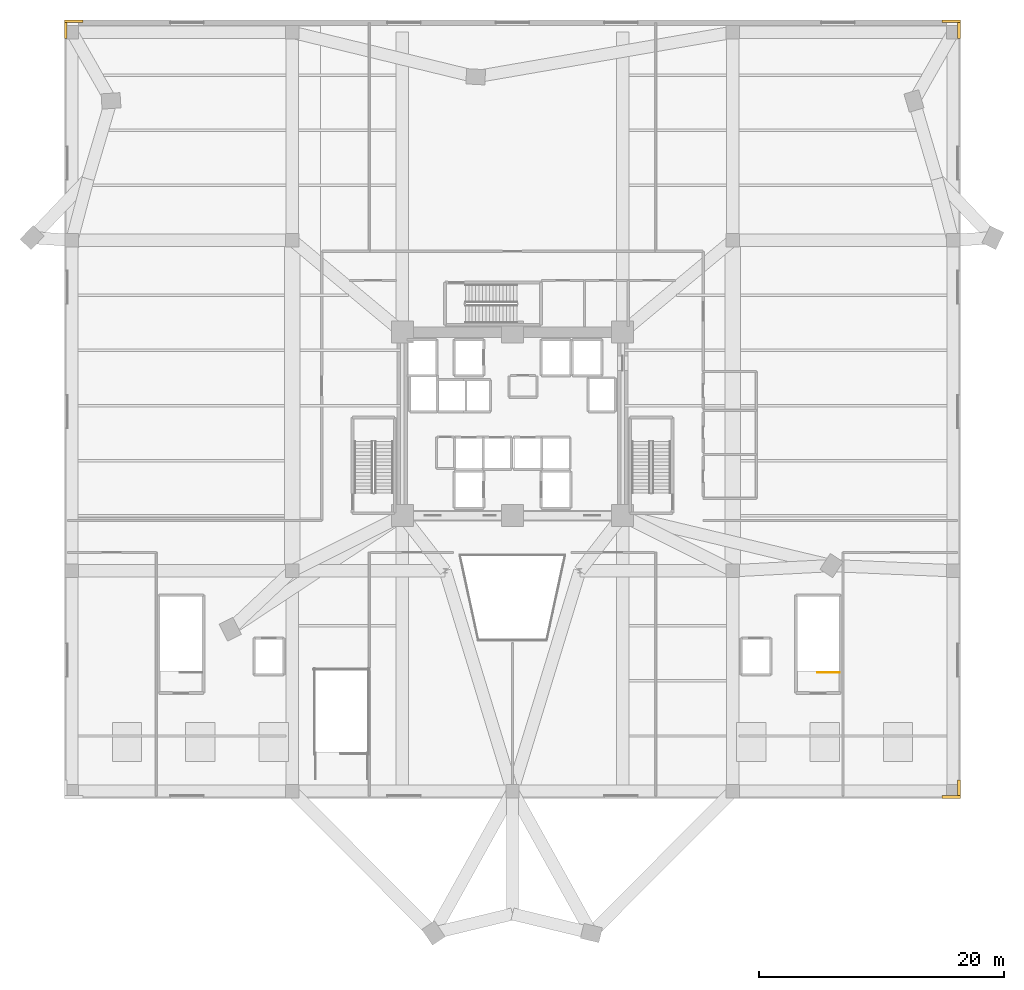
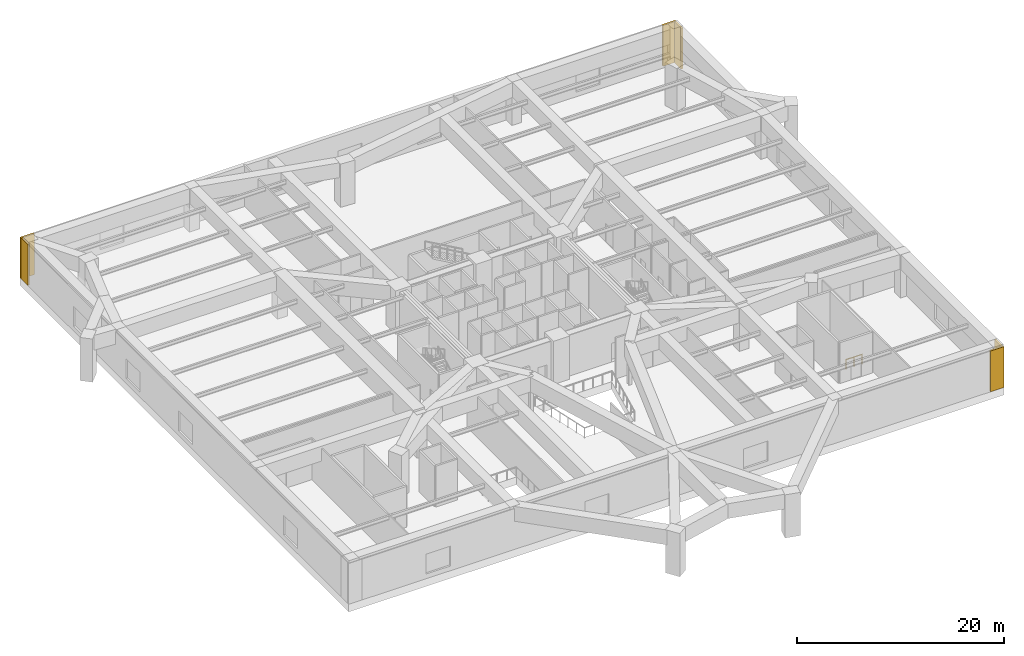
# One storey, part 14 of 14: 6 coverings, 1 railing.
"""IFC4 building model written with IfcOpenShell, lengths in metres."""

from ifc_helpers import new_model, si_unit, direction, frame, origin, origin_2d, place, context, subcontext, project, spatial, rectangle, extrude, source, transform, mapped, material, layer, layer_set, type_object, element, save


model = new_model("IFC4")

# Units and contexts
model_context = context("Model", 3, precision=1e-05, world=origin(), true_north=direction((0.0, 1.0)))
body_context = subcontext(model_context, "Body", "Model", "MODEL_VIEW")
ifc_project = project(units=[si_unit("LENGTHUNIT", "METRE"), si_unit("AREAUNIT", "SQUARE_METRE"), si_unit("VOLUMEUNIT", "CUBIC_METRE"), si_unit("PLANEANGLEUNIT", "RADIAN"), si_unit("MASSUNIT", "GRAM", prefix="KILO")], contexts=[model_context])

# Site, building, storey
site_placement = place(None, origin())
site = spatial("IfcSite", under=ifc_project, at=site_placement, CompositionType="ELEMENT")
building_placement = place(site_placement, origin())
building = spatial("IfcBuilding", under=site, at=building_placement, Name="Liaohun Quay Tower", CompositionType="ELEMENT")
storey_placement = place(building_placement, frame((0.0, 0.0, 23.39990234375)))
storey = spatial("IfcBuildingStorey", under=building, at=storey_placement, Name="L06", CompositionType="ELEMENT", Elevation=23.39990234375)

# Railing
ifc_material_1 = material(Name="Painted tubular steel", Category="steel")
railing_type = type_object("IfcRailingType", Name="RLG-GUARD-STR", PredefinedType="GUARDRAIL", material=ifc_material_1)
railing_placement = place(storey_placement, frame((86.699951171875, 33.699951171875, 0.0)))
element("IfcRailing", 1, at=railing_placement, inside=storey, type_object=railing_type, Name="L06 ST-P2 top well guard 1", PredefinedType="GUARDRAIL", context=body_context, shape_type="SweptSolid", body=[
    extrude(rectangle(XDim=0.048095703125, YDim=0.048095703125, at=origin_2d()), frame((0.0, 0.0, 1.1259765625), z_axis=(-1.0, 0.0, 0.0), x_axis=(0.0, -1.0, 0.0)), (0.0, 0.0, 1.0), 1.7900390625),
    extrude(rectangle(XDim=0.0419921875, YDim=0.0419921875, at=origin_2d()), origin(), (0.0, 0.0, 1.0), 1.101806640625),
    extrude(rectangle(XDim=0.0419921875, YDim=0.0419921875, at=origin_2d()), frame((-0.89501953125, 0.0, 0.0)), (0.0, 0.0, 1.0), 1.101806640625),
    extrude(rectangle(XDim=0.0419921875, YDim=0.0419921875, at=origin_2d()), frame((-1.7900390625, 0.0, 0.0)), (0.0, 0.0, 1.0), 1.101806640625),
])

# Coverings
ifc_material_2 = material(Name="Bush-hammered Liaodong grey granite stone cladding", Category="masonry")
ifc_layer = layer(ifc_material_2, 0.0400390625, Name="Bush-hammered Liaodong grey granite stone cladding", Category="masonry")
ifc_layer_set = layer_set([ifc_layer], Name="Bush-hammered Liaodong grey granite stone cladding")
covering_type = type_object("IfcCoveringType", Name="COV-EXT-CLD", PredefinedType="CLADDING", material=ifc_layer_set)
shared_shape_1 = source(origin(), body_context, "Body", "SweptSolid", [
    extrude(rectangle(XDim=1.5, YDim=0.219970703125, at=origin_2d()), origin(), (0.0, 0.0, 1.0), 4.820068359375),
])
for number, where, z_axis, x_axis, name in (
    (2, (95.85009765625, 23.510009765625, 0.0), (0.0, 0.0, 1.0), (1.0, 0.0, 0.0), "L06 Corner Granite Pier Cladding SE-X"),
    (3, (95.85009765625, 86.889892578125, 0.0), (0.0, 0.0, 1.0), (1.0, 0.0, 0.0), "L06 Corner Granite Pier Cladding NE-X"),
    (4, (24.14990234375, 86.889892578125, 0.0), (0.0, 0.0, 1.0), (1.0, 0.0, 0.0), "L06 Corner Granite Pier Cladding NW-X"),
):
    element("IfcCovering", number, at=place(storey_placement, frame(where, z_axis=z_axis, x_axis=x_axis)), inside=storey, type_object=covering_type, Name=name, PredefinedType="CLADDING", context=body_context, shape_type="MappedRepresentation", body=[
        mapped(shared_shape_1, transform((0.0, 0.0, 0.0), x_axis=(1.0, 0.0, 0.0), y_axis=(0.0, 1.0, 0.0), z_axis=(0.0, 0.0, 1.0), scale=1.0)),
    ])
shared_shape_2 = source(origin(), body_context, "Body", "SweptSolid", [
    extrude(rectangle(XDim=0.219970703125, YDim=1.280029296875, at=origin_2d()), origin(), (0.0, 0.0, 1.0), 4.820068359375),
])
for number, where, z_axis, x_axis, name in (
    (5, (96.489990234375, 24.260009765625, 0.0), (0.0, 0.0, 1.0), (1.0, 0.0, 0.0), "L06 Corner Granite Pier Cladding SE-Y"),
    (6, (96.489990234375, 86.139892578125, 0.0), (0.0, 0.0, 1.0), (1.0, 0.0, 0.0), "L06 Corner Granite Pier Cladding NE-Y"),
    (7, (23.510009765625, 86.139892578125, 0.0), (0.0, 0.0, 1.0), (1.0, 0.0, 0.0), "L06 Corner Granite Pier Cladding NW-Y"),
):
    element("IfcCovering", number, at=place(storey_placement, frame(where, z_axis=z_axis, x_axis=x_axis)), inside=storey, type_object=covering_type, Name=name, PredefinedType="CLADDING", context=body_context, shape_type="MappedRepresentation", body=[
        mapped(shared_shape_2, transform((0.0, 0.0, 0.0), x_axis=(1.0, 0.0, 0.0), y_axis=(0.0, 1.0, 0.0), z_axis=(0.0, 0.0, 1.0), scale=1.0)),
    ])

save(model, "model.ifc")
